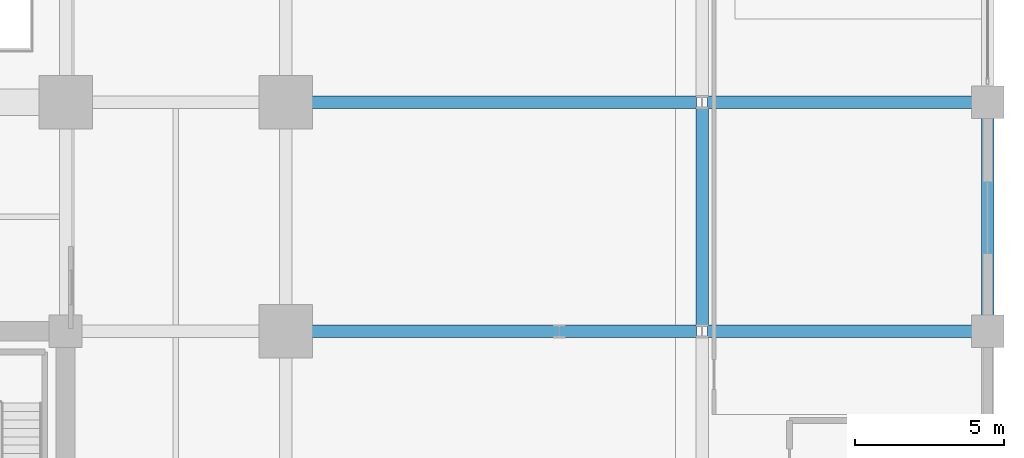
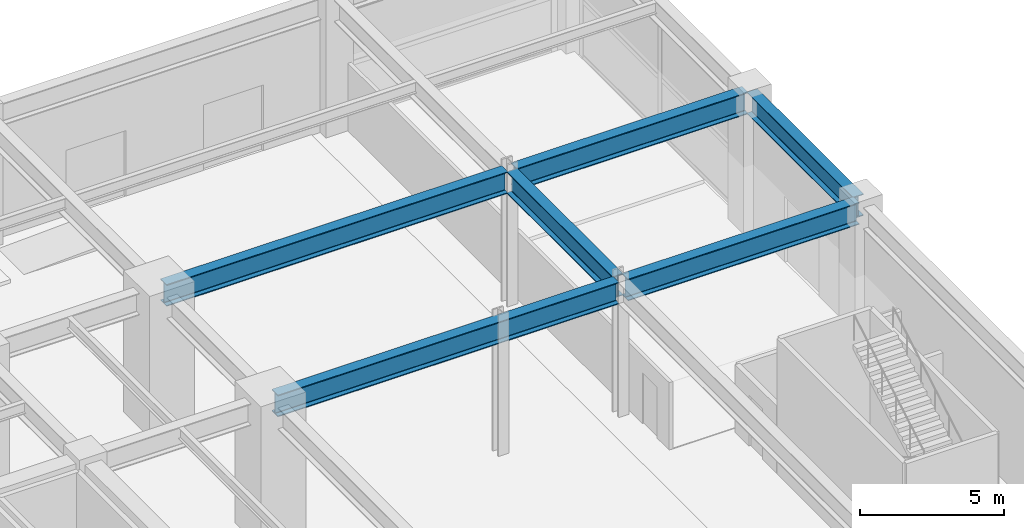
# One storey, part 25 of 41: 6 beams.
"""IFC4 building model written with IfcOpenShell, lengths in metres."""

from ifc_helpers import new_model, si_unit, direction, frame, origin, origin_2d, place, context, subcontext, project, spatial, i_section, extrude, material, material_profile, profile_set, type_object, element, save


model = new_model("IFC4")

# Units and contexts
model_context = context("Model", 3, precision=1e-05, world=origin(), true_north=direction((0.0, 1.0)))
body_context = subcontext(model_context, "Body", "Model", "MODEL_VIEW")
ifc_project = project(units=[si_unit("LENGTHUNIT", "METRE"), si_unit("AREAUNIT", "SQUARE_METRE"), si_unit("VOLUMEUNIT", "CUBIC_METRE"), si_unit("PLANEANGLEUNIT", "RADIAN"), si_unit("MASSUNIT", "GRAM", prefix="KILO")], contexts=[model_context])

# Site, building, storey
site_placement = place(None, origin())
site = spatial("IfcSite", under=ifc_project, at=site_placement, CompositionType="ELEMENT")
building_placement = place(site_placement, origin())
building = spatial("IfcBuilding", under=site, at=building_placement, Name="Kovane Verandah Tower", CompositionType="ELEMENT")
storey_placement = place(building_placement, origin())
storey = spatial("IfcBuildingStorey", under=building, at=storey_placement, Name="L00", CompositionType="ELEMENT", Elevation=0.0)

# Beams
ifc_material = material(Name="Steel S460", Category="steel")
ifc_material_profile = material_profile(ifc_material, i_section(OverallWidth=0.42041015625, OverallDepth=0.9208984375, WebThickness=0.021484375, FlangeThickness=0.03662109375, FilletRadius=0.024169921875, at=origin_2d()), Name="UB914x419x388")
ifc_profile_set = profile_set([ifc_material_profile], Name="Steel S460")
beam_type = type_object("IfcBeamType", Name="BM-UB914x388", PredefinedType="BEAM", material=ifc_profile_set)
beam_1_placement = place(storey_placement, frame((58.580078125, 36.5, 5.239501953125), z_axis=(1.0, 0.0, 0.0), x_axis=(0.0, 1.0, 0.0)))
element("IfcBeam", 1, at=beam_1_placement, inside=storey, type_object=beam_type, Name="L00 Podium Grid Girder X18", PredefinedType="BEAM", context=body_context, shape_type="SweptSolid", body=[
    extrude(i_section(OverallWidth=0.42041015625, OverallDepth=0.9208984375, WebThickness=0.021484375, FlangeThickness=0.03662109375, FilletRadius=0.024169921875, at=origin_2d()), origin(), (0.0, 0.0, 1.0), 13.639892578125),
])
beam_2_placement = place(storey_placement, frame((72.580078125, 36.5, 5.239501953125), z_axis=(1.0, 0.0, 0.0), x_axis=(0.0, 1.0, 0.0)))
element("IfcBeam", 2, at=beam_2_placement, inside=storey, type_object=beam_type, Name="L00 Podium Grid Girder X19", PredefinedType="BEAM", context=body_context, shape_type="SweptSolid", body=[
    extrude(i_section(OverallWidth=0.42041015625, OverallDepth=0.9208984375, WebThickness=0.021484375, FlangeThickness=0.03662109375, FilletRadius=0.024169921875, at=origin_2d()), origin(), (0.0, 0.0, 1.0), 9.239990234375),
])
beam_3_placement = place(storey_placement, frame((58.580078125, 44.199951171875, 5.239501953125), z_axis=(1.0, 0.0, 0.0), x_axis=(0.0, 1.0, 0.0)))
element("IfcBeam", 3, at=beam_3_placement, inside=storey, type_object=beam_type, Name="L00 Podium Grid Girder X22", PredefinedType="BEAM", context=body_context, shape_type="SweptSolid", body=[
    extrude(i_section(OverallWidth=0.42041015625, OverallDepth=0.9208984375, WebThickness=0.021484375, FlangeThickness=0.03662109375, FilletRadius=0.024169921875, at=origin_2d()), origin(), (0.0, 0.0, 1.0), 13.639892578125),
])
beam_4_placement = place(storey_placement, frame((72.580078125, 44.199951171875, 5.239501953125), z_axis=(1.0, 0.0, 0.0), x_axis=(0.0, 1.0, 0.0)))
element("IfcBeam", 4, at=beam_4_placement, inside=storey, type_object=beam_type, Name="L00 Podium Grid Girder X23", PredefinedType="BEAM", context=body_context, shape_type="SweptSolid", body=[
    extrude(i_section(OverallWidth=0.42041015625, OverallDepth=0.9208984375, WebThickness=0.021484375, FlangeThickness=0.03662109375, FilletRadius=0.024169921875, at=origin_2d()), origin(), (0.0, 0.0, 1.0), 9.239990234375),
])
for number, where, z_axis, x_axis, name in (
    (5, (72.39990234375, 36.679931640625, 5.239501953125), (0.0, 1.0, 0.0), (-1.0, 0.0, 0.0), "L00 Podium Grid Girder Y52"),
    (6, (82.0, 36.679931640625, 5.239501953125), (0.0, 1.0, 0.0), (-1.0, 0.0, 0.0), "L00 Podium Grid Girder Y57"),
):
    element("IfcBeam", number, at=place(storey_placement, frame(where, z_axis=z_axis, x_axis=x_axis)), inside=storey, type_object=beam_type, Name=name, PredefinedType="BEAM", context=body_context, shape_type="SweptSolid", body=[
        extrude(i_section(OverallWidth=0.42041015625, OverallDepth=0.9208984375, WebThickness=0.021484375, FlangeThickness=0.03662109375, FilletRadius=0.024169921875, at=origin_2d()), origin(), (0.0, 0.0, 1.0), 7.340087890625),
    ])

save(model, "model.ifc")
